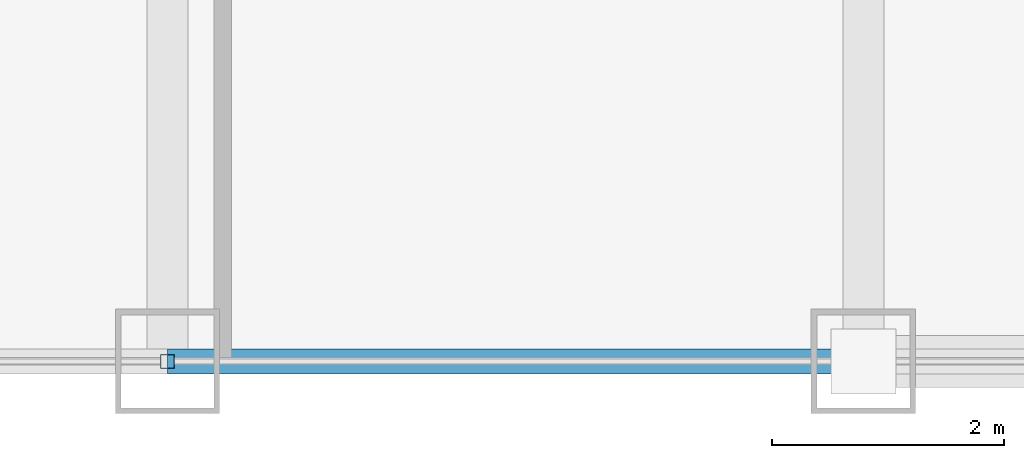
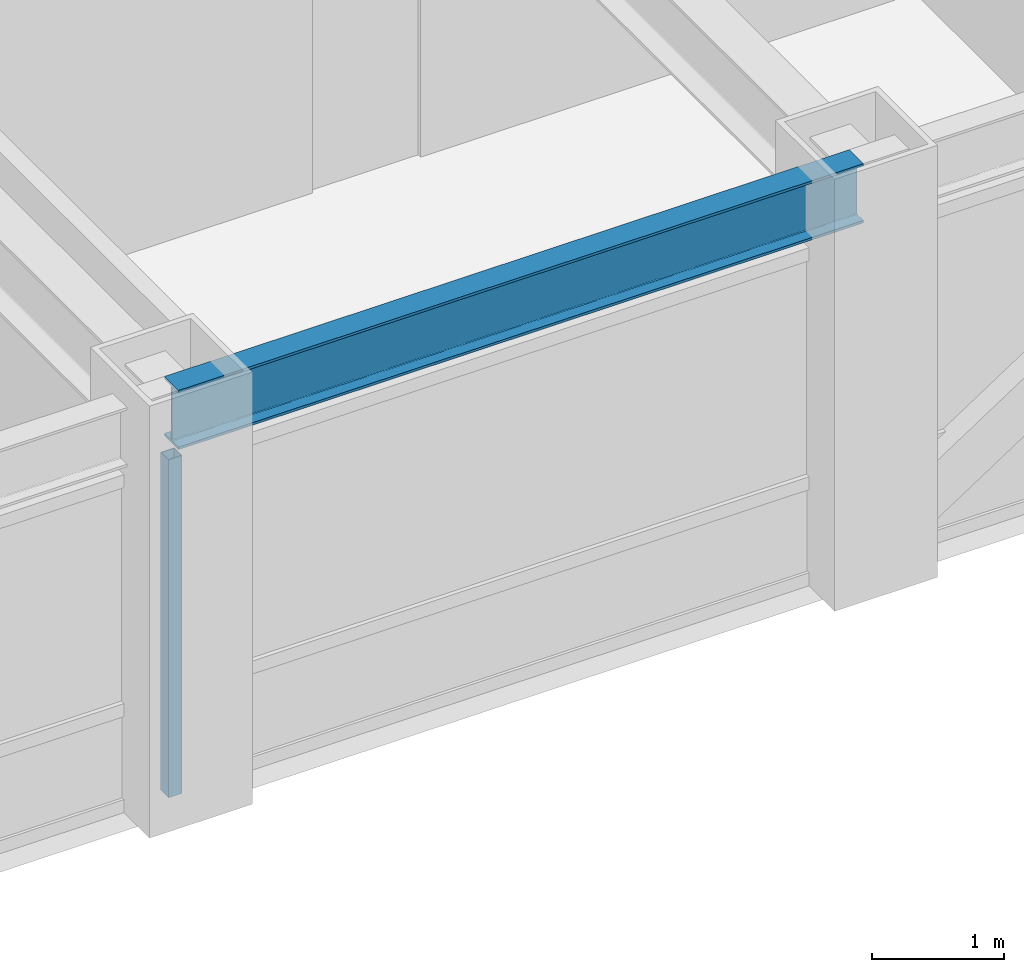
# One storey, part 4 of 22: 1 beam, 1 member, 1 element without a shape of its own.
"""IFC4 building model written with IfcOpenShell, lengths in metres."""

from ifc_helpers import new_model, si_unit, direction, frame, origin, origin_2d, place, context, subcontext, project, spatial, hollow_rectangle, i_section, extrude, source, transform, mapped, material, material_profile, profile_set, type_object, element, aggregate, save


model = new_model("IFC4")

# Units and contexts
model_context = context("Model", 3, precision=1e-05, world=origin(), true_north=direction((0.0, 1.0)))
body_context = subcontext(model_context, "Body", "Model", "MODEL_VIEW")
ifc_project = project(units=[si_unit("LENGTHUNIT", "METRE"), si_unit("AREAUNIT", "SQUARE_METRE"), si_unit("VOLUMEUNIT", "CUBIC_METRE"), si_unit("PLANEANGLEUNIT", "RADIAN"), si_unit("MASSUNIT", "GRAM", prefix="KILO")], contexts=[model_context])

# Site, building, storey
site_placement = place(None, origin())
site = spatial("IfcSite", under=ifc_project, at=site_placement, CompositionType="ELEMENT")
building_placement = place(site_placement, origin())
building = spatial("IfcBuilding", under=site, at=building_placement, Name="Khorayat Bourse Tower", CompositionType="ELEMENT")
storey_placement = place(building_placement, frame((0.0, 0.0, 289.5)))
storey = spatial("IfcBuildingStorey", under=building, at=storey_placement, Name="L68", CompositionType="ELEMENT", Elevation=289.5)

# Beam
ifc_material_1 = material(Name="Steel ASTM A992 Grade 50", Category="steel")
ifc_material_profile_1 = material_profile(ifc_material_1, i_section(OverallWidth=0.214111328125, OverallDepth=0.549072265625, WebThickness=0.0146484375, FlangeThickness=0.023681640625, FilletRadius=0.013916015625, at=origin_2d()), Name="W530X138")
ifc_profile_set_1 = profile_set([ifc_material_profile_1], Name="Steel ASTM A992 Grade 50")
beam_type = type_object("IfcBeamType", Name="BM-SPAN-530", PredefinedType="SPANDREL", material=ifc_profile_set_1)
shared_shape_1 = source(origin(), body_context, "Body", "SweptSolid", [
    extrude(i_section(OverallWidth=0.214111328125, OverallDepth=0.549072265625, WebThickness=0.0146484375, FlangeThickness=0.023681640625, FilletRadius=0.013916015625, at=origin_2d()), origin(), (0.0, 0.0, 1.0), 6.0),
])
beam_placement = place(storey_placement, frame((0.0, -28.0, 3.505615234375), z_axis=(1.0, 0.0, 0.0), x_axis=(0.0, 1.0, 0.0)))
element("IfcBeam", 1, at=beam_placement, inside=storey, type_object=beam_type, Name="L68 BM-SPAN-530 BM-L68-SPN-028", PredefinedType="SPANDREL", context=body_context, shape_type="MappedRepresentation", body=[
    mapped(shared_shape_1, transform((0.0, 0.0, 0.0), scale=1.0)),
])

# Curtain wall, member
ifc_material_2 = material(Name="Aluminium EN AW-6063 T6", Category="aluminium")
curtain_wall_type = type_object("IfcCurtainWallType", Name="CW-SYS-04", PredefinedType="NOTDEFINED", material=ifc_material_2)
curtain_wall_placement = place(storey_placement, origin())
curtain_wall = element("IfcCurtainWall", 2, at=curtain_wall_placement, inside=storey, type_object=curtain_wall_type, Name="L68 Curtain Wall CW-L68-S1", PredefinedType="NOTDEFINED")
ifc_material_profile_2 = material_profile(ifc_material_2, hollow_rectangle(XDim=0.1201171875, YDim=0.1201171875, WallThickness=0.0048828125, at=origin_2d()), Name="ALU 120x120x5")
ifc_profile_set_2 = profile_set([ifc_material_profile_2], Name="Aluminium EN AW-6063 T6")
member_type = type_object("IfcMemberType", Name="CWM-VERT-120", PredefinedType="MULLION", material=ifc_profile_set_2)
shared_shape_2 = source(origin(), body_context, "Body", "SweptSolid", [
    extrude(hollow_rectangle(XDim=0.1201171875, YDim=0.1201171875, WallThickness=0.0048828125, at=origin_2d()), origin(), (0.0, 0.0, 1.0), 3.1298828125),
])
member_placement = place(storey_placement, frame((0.0, -28.0, 0.0), z_axis=(0.0, 0.0, 1.0), x_axis=(0.0, 1.0, 0.0)))
member = element("IfcMember", 3, at=member_placement, type_object=member_type, Name="CW-L68-S1 Vertical Mullion 2", PredefinedType="MULLION", context=body_context, shape_type="MappedRepresentation", body=[
    mapped(shared_shape_2, transform((0.0, 0.0, 0.0), scale=1.0)),
])
aggregate(curtain_wall, [member])

save(model, "model.ifc")
